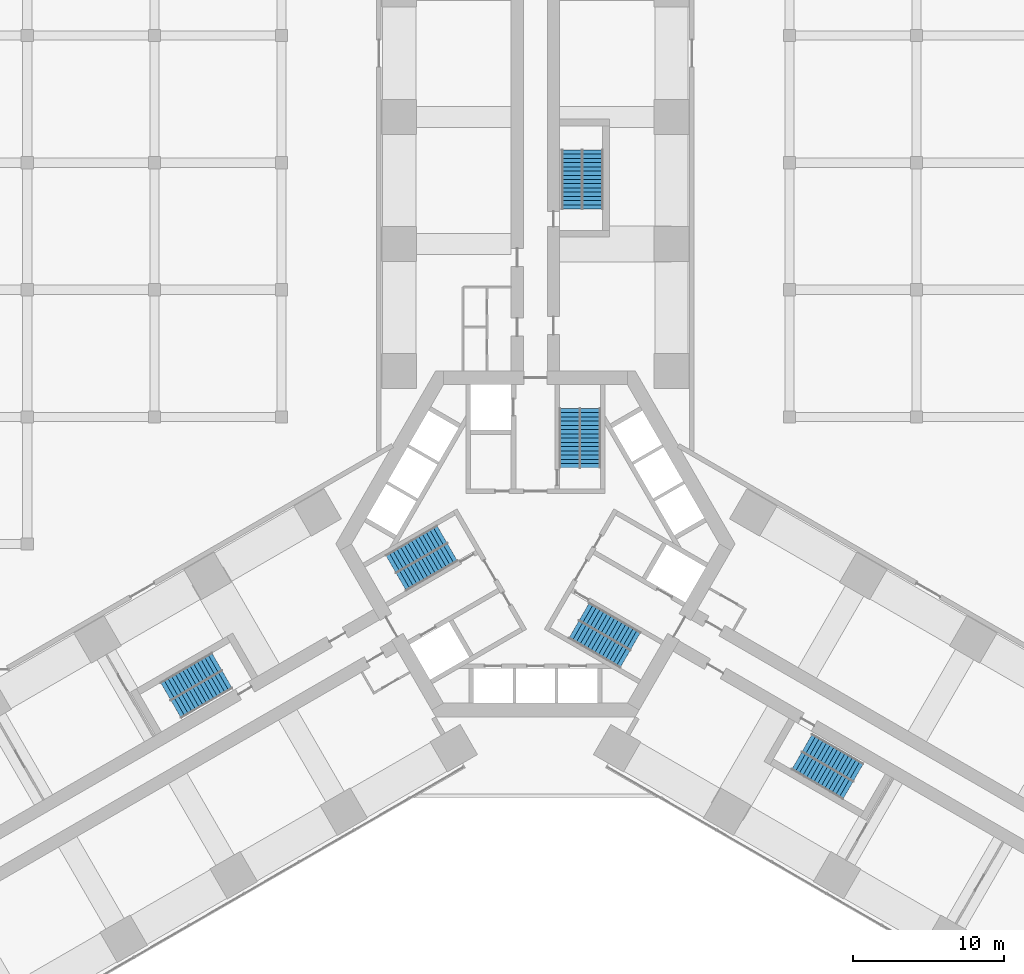
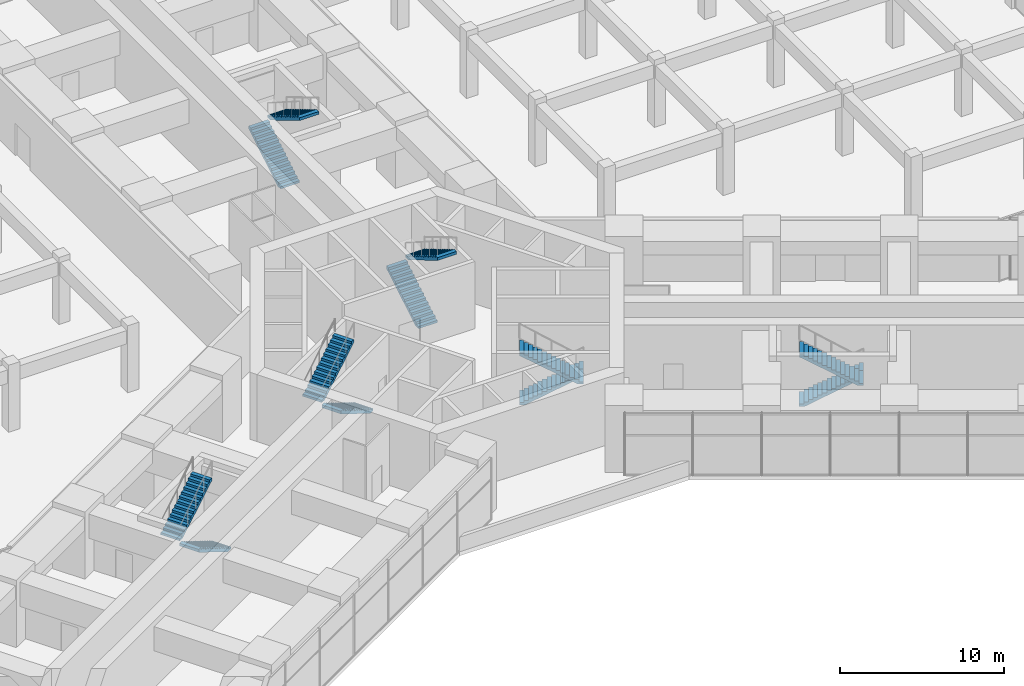
# One storey, part 32 of 33: 12 stair flights, 6 elements without a shape of their own.
"""IFC4 building model written with IfcOpenShell, lengths in metres."""

from ifc_helpers import new_model, si_unit, direction, frame, origin, place, context, subcontext, project, spatial, polyline, outline, extrude, material, type_object, element, aggregate, save


model = new_model("IFC4")

# Units and contexts
model_context = context("Model", 3, precision=1e-05, world=origin(), true_north=direction((0.0, 1.0)))
body_context = subcontext(model_context, "Body", "Model", "MODEL_VIEW")
ifc_project = project(units=[si_unit("LENGTHUNIT", "METRE"), si_unit("AREAUNIT", "SQUARE_METRE"), si_unit("VOLUMEUNIT", "CUBIC_METRE"), si_unit("PLANEANGLEUNIT", "RADIAN"), si_unit("MASSUNIT", "GRAM", prefix="KILO")], contexts=[model_context])

# Site, building, storey
site_placement = place(None, origin())
site = spatial("IfcSite", under=ifc_project, at=site_placement, CompositionType="ELEMENT")
building_placement = place(site_placement, origin())
building = spatial("IfcBuilding", under=site, at=building_placement, Name="Impinga Residences", CompositionType="ELEMENT")
storey_placement = place(building_placement, frame((0.0, 0.0, 21.0)))
storey = spatial("IfcBuildingStorey", under=building, at=storey_placement, Name="L04", CompositionType="ELEMENT", Elevation=21.0)

# Stair, stair flights
ifc_material = material(Name="Concrete C40/50", Category="concrete")
stair_type_1 = type_object("IfcStairType", Name="STR core stair 5000 storey, 30 risers", PredefinedType="HALF_TURN_STAIR", material=ifc_material)
stair_1_placement = place(storey_placement, origin())
stair_1 = element("IfcStair", 1, at=stair_1_placement, inside=storey, type_object=stair_type_1, Name="Stair ST1 L04", PredefinedType="HALF_TURN_STAIR")
stair_flight_type = type_object("IfcStairFlightType", Name="SF 15 risers of 167", PredefinedType="STRAIGHT", material=ifc_material)
stair_flight_1_placement = place(storey_placement, frame((2.27490234375, 5.030029296875, 0.0), z_axis=(0.0, 0.0, 1.0), x_axis=(0.0, 1.0, 0.0)))
stair_flight_1 = element("IfcStairFlight", 2, at=stair_flight_1_placement, type_object=stair_flight_type, Name="ST1 flight 1", NumberOfRisers=15, NumberOfTreads=14, PredefinedType="STRAIGHT", RiserHeight=0.166666667, TreadLength=0.28, context=body_context, shape_type="SweptSolid", body=[
    extrude(outline(polyline([(0.0, 0.0), (0.0, 0.166748046875), (0.280029296875, 0.166748046875), (0.280029296875, 0.333251953125), (0.56005859375, 0.333251953125), (0.56005859375, 0.5), (0.840087890625, 0.5), (0.840087890625, 0.666748046875), (1.1201171875, 0.666748046875), (1.1201171875, 0.833251953125), (1.39990234375, 0.833251953125), (1.39990234375, 1.0), (1.679931640625, 1.0), (1.679931640625, 1.166748046875), (1.9599609375, 1.166748046875), (1.9599609375, 1.333251953125), (2.239990234375, 1.333251953125), (2.239990234375, 1.5), (2.52001953125, 1.5), (2.52001953125, 1.666748046875), (2.800048828125, 1.666748046875), (2.800048828125, 1.833251953125), (3.080078125, 1.833251953125), (3.080078125, 2.0), (3.360107421875, 2.0), (3.360107421875, 2.166748046875), (3.639892578125, 2.166748046875), (3.639892578125, 2.333251953125), (3.919921875, 2.333251953125), (3.919921875, 2.5), (3.919921875, 2.1240234375), (0.351806640625, 0.0), (0.0, 0.0)])), frame((0.0, 0.675048828125, 0.0), z_axis=(0.0, -1.0, 0.0), x_axis=(1.0, 0.0, 0.0)), (0.0, 0.0, 1.0), 1.35009765625),
])
stair_flight_2_placement = place(storey_placement, frame((3.625, 8.949951171875, 2.5), z_axis=(0.0, 0.0, 1.0), x_axis=(0.0, -1.0, 0.0)))
stair_flight_2 = element("IfcStairFlight", 3, at=stair_flight_2_placement, type_object=stair_flight_type, Name="ST1 flight 2", NumberOfRisers=15, NumberOfTreads=14, PredefinedType="STRAIGHT", RiserHeight=0.166666667, TreadLength=0.28, context=body_context, shape_type="SweptSolid", body=[
    extrude(outline(polyline([(0.0, 0.0), (0.0, 0.166748046875), (0.280029296875, 0.166748046875), (0.280029296875, 0.333251953125), (0.56005859375, 0.333251953125), (0.56005859375, 0.5), (0.840087890625, 0.5), (0.840087890625, 0.666748046875), (1.1201171875, 0.666748046875), (1.1201171875, 0.833251953125), (1.39990234375, 0.833251953125), (1.39990234375, 1.0), (1.679931640625, 1.0), (1.679931640625, 1.166748046875), (1.9599609375, 1.166748046875), (1.9599609375, 1.333251953125), (2.239990234375, 1.333251953125), (2.239990234375, 1.5), (2.52001953125, 1.5), (2.52001953125, 1.666748046875), (2.800048828125, 1.666748046875), (2.800048828125, 1.833251953125), (3.080078125, 1.833251953125), (3.080078125, 2.0), (3.360107421875, 2.0), (3.360107421875, 2.166748046875), (3.639892578125, 2.166748046875), (3.639892578125, 2.333251953125), (3.919921875, 2.333251953125), (3.919921875, 2.5), (3.919921875, 2.1240234375), (0.351806640625, 0.0), (0.0, 0.0)])), frame((0.0, 0.675048828125, 0.0), z_axis=(0.0, -1.0, 0.0), x_axis=(1.0, 0.0, 0.0)), (0.0, 0.0, 1.0), 1.35009765625),
])
aggregate(stair_1, [stair_flight_1, stair_flight_2])

stair_2_placement = place(storey_placement, origin())
stair_2 = element("IfcStair", 4, at=stair_2_placement, inside=storey, type_object=stair_type_1, Name="Stair ST2 L04", PredefinedType="HALF_TURN_STAIR")
stair_flight_3_placement = place(storey_placement, frame((-5.49365234375, -0.544677734375, 0.0), z_axis=(0.0, 0.0, 1.0), x_axis=(-0.866025403784, -0.5, 0.0)))
stair_flight_3 = element("IfcStairFlight", 5, at=stair_flight_3_placement, type_object=stair_flight_type, Name="ST2 flight 1", NumberOfRisers=15, NumberOfTreads=14, PredefinedType="STRAIGHT", RiserHeight=0.166666667, TreadLength=0.28, context=body_context, shape_type="SweptSolid", body=[
    extrude(outline(polyline([(0.0, 0.0), (0.0, 0.166748046875), (0.280029296875, 0.166748046875), (0.280029296875, 0.333251953125), (0.56005859375, 0.333251953125), (0.56005859375, 0.5), (0.840087890625, 0.5), (0.840087890625, 0.666748046875), (1.1201171875, 0.666748046875), (1.1201171875, 0.833251953125), (1.39990234375, 0.833251953125), (1.39990234375, 1.0), (1.679931640625, 1.0), (1.679931640625, 1.166748046875), (1.9599609375, 1.166748046875), (1.9599609375, 1.333251953125), (2.239990234375, 1.333251953125), (2.239990234375, 1.5), (2.52001953125, 1.5), (2.52001953125, 1.666748046875), (2.800048828125, 1.666748046875), (2.800048828125, 1.833251953125), (3.080078125, 1.833251953125), (3.080078125, 2.0), (3.360107421875, 2.0), (3.360107421875, 2.166748046875), (3.639892578125, 2.166748046875), (3.639892578125, 2.333251953125), (3.919921875, 2.333251953125), (3.919921875, 2.5), (3.919921875, 2.1240234375), (0.351806640625, 0.0), (0.0, 0.0)])), frame((0.0, 0.675048828125, 0.0), z_axis=(0.0, -1.0, 0.0), x_axis=(1.0, 0.0, 0.0)), (0.0, 0.0, 1.0), 1.35009765625),
])
stair_flight_4_placement = place(storey_placement, frame((-9.5634765625, -1.335693359375, 2.5), z_axis=(0.0, 0.0, 1.0), x_axis=(0.866025403784, 0.5, 0.0)))
stair_flight_4 = element("IfcStairFlight", 6, at=stair_flight_4_placement, type_object=stair_flight_type, Name="ST2 flight 2", NumberOfRisers=15, NumberOfTreads=14, PredefinedType="STRAIGHT", RiserHeight=0.166666667, TreadLength=0.28, context=body_context, shape_type="SweptSolid", body=[
    extrude(outline(polyline([(0.0, 0.0), (0.0, 0.166748046875), (0.280029296875, 0.166748046875), (0.280029296875, 0.333251953125), (0.56005859375, 0.333251953125), (0.56005859375, 0.5), (0.840087890625, 0.5), (0.840087890625, 0.666748046875), (1.1201171875, 0.666748046875), (1.1201171875, 0.833251953125), (1.39990234375, 0.833251953125), (1.39990234375, 1.0), (1.679931640625, 1.0), (1.679931640625, 1.166748046875), (1.9599609375, 1.166748046875), (1.9599609375, 1.333251953125), (2.239990234375, 1.333251953125), (2.239990234375, 1.5), (2.52001953125, 1.5), (2.52001953125, 1.666748046875), (2.800048828125, 1.666748046875), (2.800048828125, 1.833251953125), (3.080078125, 1.833251953125), (3.080078125, 2.0), (3.360107421875, 2.0), (3.360107421875, 2.166748046875), (3.639892578125, 2.166748046875), (3.639892578125, 2.333251953125), (3.919921875, 2.333251953125), (3.919921875, 2.5), (3.919921875, 2.1240234375), (0.351806640625, 0.0), (0.0, 0.0)])), frame((0.0, 0.675048828125, 0.0), z_axis=(0.0, -1.0, 0.0), x_axis=(1.0, 0.0, 0.0)), (0.0, 0.0, 1.0), 1.35009765625),
])
aggregate(stair_2, [stair_flight_3, stair_flight_4])

stair_3_placement = place(storey_placement, origin())
stair_3 = element("IfcStair", 7, at=stair_3_placement, inside=storey, type_object=stair_type_1, Name="Stair ST3 L04", PredefinedType="HALF_TURN_STAIR")
stair_flight_5_placement = place(storey_placement, frame((3.218505859375, -4.485107421875, 0.0), z_axis=(0.0, 0.0, 1.0), x_axis=(0.866025403784, -0.5, 0.0)))
stair_flight_5 = element("IfcStairFlight", 8, at=stair_flight_5_placement, type_object=stair_flight_type, Name="ST3 flight 1", NumberOfRisers=15, NumberOfTreads=14, PredefinedType="STRAIGHT", RiserHeight=0.166666667, TreadLength=0.28, context=body_context, shape_type="SweptSolid", body=[
    extrude(outline(polyline([(0.0, 0.0), (0.0, 0.166748046875), (0.280029296875, 0.166748046875), (0.280029296875, 0.333251953125), (0.56005859375, 0.333251953125), (0.56005859375, 0.5), (0.840087890625, 0.5), (0.840087890625, 0.666748046875), (1.1201171875, 0.666748046875), (1.1201171875, 0.833251953125), (1.39990234375, 0.833251953125), (1.39990234375, 1.0), (1.679931640625, 1.0), (1.679931640625, 1.166748046875), (1.9599609375, 1.166748046875), (1.9599609375, 1.333251953125), (2.239990234375, 1.333251953125), (2.239990234375, 1.5), (2.52001953125, 1.5), (2.52001953125, 1.666748046875), (2.800048828125, 1.666748046875), (2.800048828125, 1.833251953125), (3.080078125, 1.833251953125), (3.080078125, 2.0), (3.360107421875, 2.0), (3.360107421875, 2.166748046875), (3.639892578125, 2.166748046875), (3.639892578125, 2.333251953125), (3.919921875, 2.333251953125), (3.919921875, 2.5), (3.919921875, 2.1240234375), (0.351806640625, 0.0), (0.0, 0.0)])), frame((0.0, 0.675048828125, 0.0), z_axis=(0.0, -1.0, 0.0), x_axis=(1.0, 0.0, 0.0)), (0.0, 0.0, 1.0), 1.35009765625),
])
stair_flight_6_placement = place(storey_placement, frame((5.9384765625, -7.6142578125, 2.5), z_axis=(0.0, 0.0, 1.0), x_axis=(-0.866025403784, 0.5, 0.0)))
stair_flight_6 = element("IfcStairFlight", 9, at=stair_flight_6_placement, type_object=stair_flight_type, Name="ST3 flight 2", NumberOfRisers=15, NumberOfTreads=14, PredefinedType="STRAIGHT", RiserHeight=0.166666667, TreadLength=0.28, context=body_context, shape_type="SweptSolid", body=[
    extrude(outline(polyline([(0.0, 0.0), (0.0, 0.166748046875), (0.280029296875, 0.166748046875), (0.280029296875, 0.333251953125), (0.56005859375, 0.333251953125), (0.56005859375, 0.5), (0.840087890625, 0.5), (0.840087890625, 0.666748046875), (1.1201171875, 0.666748046875), (1.1201171875, 0.833251953125), (1.39990234375, 0.833251953125), (1.39990234375, 1.0), (1.679931640625, 1.0), (1.679931640625, 1.166748046875), (1.9599609375, 1.166748046875), (1.9599609375, 1.333251953125), (2.239990234375, 1.333251953125), (2.239990234375, 1.5), (2.52001953125, 1.5), (2.52001953125, 1.666748046875), (2.800048828125, 1.666748046875), (2.800048828125, 1.833251953125), (3.080078125, 1.833251953125), (3.080078125, 2.0), (3.360107421875, 2.0), (3.360107421875, 2.166748046875), (3.639892578125, 2.166748046875), (3.639892578125, 2.333251953125), (3.919921875, 2.333251953125), (3.919921875, 2.5), (3.919921875, 2.1240234375), (0.351806640625, 0.0), (0.0, 0.0)])), frame((0.0, 0.675048828125, 0.0), z_axis=(0.0, -1.0, 0.0), x_axis=(1.0, 0.0, 0.0)), (0.0, 0.0, 1.0), 1.35009765625),
])
aggregate(stair_3, [stair_flight_5, stair_flight_6])

stair_type_2 = type_object("IfcStairType", Name="STR wing stair 5000 storey, 30 risers", PredefinedType="HALF_TURN_STAIR", material=ifc_material)
stair_4_placement = place(storey_placement, origin())
stair_4 = element("IfcStair", 10, at=stair_4_placement, inside=storey, type_object=stair_type_2, Name="Stair WS1 L04", PredefinedType="HALF_TURN_STAIR")
stair_flight_7_placement = place(storey_placement, frame((2.425048828125, 22.131591796875, 0.0), z_axis=(0.0, 0.0, 1.0), x_axis=(0.0, 1.0, 0.0)))
stair_flight_7 = element("IfcStairFlight", 11, at=stair_flight_7_placement, type_object=stair_flight_type, Name="WS1 flight 1", NumberOfRisers=15, NumberOfTreads=14, PredefinedType="STRAIGHT", RiserHeight=0.166666667, TreadLength=0.28, context=body_context, shape_type="SweptSolid", body=[
    extrude(outline(polyline([(0.0, 0.0), (0.0, 0.166748046875), (0.280029296875, 0.166748046875), (0.280029296875, 0.333251953125), (0.56005859375, 0.333251953125), (0.56005859375, 0.5), (0.840087890625, 0.5), (0.840087890625, 0.666748046875), (1.1201171875, 0.666748046875), (1.1201171875, 0.833251953125), (1.39990234375, 0.833251953125), (1.39990234375, 1.0), (1.679931640625, 1.0), (1.679931640625, 1.166748046875), (1.9599609375, 1.166748046875), (1.9599609375, 1.333251953125), (2.239990234375, 1.333251953125), (2.239990234375, 1.5), (2.52001953125, 1.5), (2.52001953125, 1.666748046875), (2.800048828125, 1.666748046875), (2.800048828125, 1.833251953125), (3.080078125, 1.833251953125), (3.080078125, 2.0), (3.360107421875, 2.0), (3.360107421875, 2.166748046875), (3.639892578125, 2.166748046875), (3.639892578125, 2.333251953125), (3.919921875, 2.333251953125), (3.919921875, 2.5), (3.919921875, 2.1240234375), (0.351806640625, 0.0), (0.0, 0.0)])), frame((0.0, 0.675048828125, 0.0), z_axis=(0.0, -1.0, 0.0), x_axis=(1.0, 0.0, 0.0)), (0.0, 0.0, 1.0), 1.35009765625),
])
stair_flight_8_placement = place(storey_placement, frame((3.77490234375, 26.051513671875, 2.5), z_axis=(0.0, 0.0, 1.0), x_axis=(0.0, -1.0, 0.0)))
stair_flight_8 = element("IfcStairFlight", 12, at=stair_flight_8_placement, type_object=stair_flight_type, Name="WS1 flight 2", NumberOfRisers=15, NumberOfTreads=14, PredefinedType="STRAIGHT", RiserHeight=0.166666667, TreadLength=0.28, context=body_context, shape_type="SweptSolid", body=[
    extrude(outline(polyline([(0.0, 0.0), (0.0, 0.166748046875), (0.280029296875, 0.166748046875), (0.280029296875, 0.333251953125), (0.56005859375, 0.333251953125), (0.56005859375, 0.5), (0.840087890625, 0.5), (0.840087890625, 0.666748046875), (1.1201171875, 0.666748046875), (1.1201171875, 0.833251953125), (1.39990234375, 0.833251953125), (1.39990234375, 1.0), (1.679931640625, 1.0), (1.679931640625, 1.166748046875), (1.9599609375, 1.166748046875), (1.9599609375, 1.333251953125), (2.239990234375, 1.333251953125), (2.239990234375, 1.5), (2.52001953125, 1.5), (2.52001953125, 1.666748046875), (2.800048828125, 1.666748046875), (2.800048828125, 1.833251953125), (3.080078125, 1.833251953125), (3.080078125, 2.0), (3.360107421875, 2.0), (3.360107421875, 2.166748046875), (3.639892578125, 2.166748046875), (3.639892578125, 2.333251953125), (3.919921875, 2.333251953125), (3.919921875, 2.5), (3.919921875, 2.1240234375), (0.351806640625, 0.0), (0.0, 0.0)])), frame((0.0, 0.675048828125, 0.0), z_axis=(0.0, -1.0, 0.0), x_axis=(1.0, 0.0, 0.0)), (0.0, 0.0, 1.0), 1.35009765625),
])
aggregate(stair_4, [stair_flight_7, stair_flight_8])

stair_5_placement = place(storey_placement, origin())
stair_5 = element("IfcStair", 13, at=stair_5_placement, inside=storey, type_object=stair_type_2, Name="Stair WS2 L04", PredefinedType="HALF_TURN_STAIR")
stair_flight_9_placement = place(storey_placement, frame((-20.37890625, -8.965576171875, 0.0), z_axis=(0.0, 0.0, 1.0), x_axis=(-0.866025403784, -0.5, 0.0)))
stair_flight_9 = element("IfcStairFlight", 14, at=stair_flight_9_placement, type_object=stair_flight_type, Name="WS2 flight 1", NumberOfRisers=15, NumberOfTreads=14, PredefinedType="STRAIGHT", RiserHeight=0.166666667, TreadLength=0.28, context=body_context, shape_type="SweptSolid", body=[
    extrude(outline(polyline([(0.0, 0.0), (0.0, 0.166748046875), (0.280029296875, 0.166748046875), (0.280029296875, 0.333251953125), (0.56005859375, 0.333251953125), (0.56005859375, 0.5), (0.840087890625, 0.5), (0.840087890625, 0.666748046875), (1.1201171875, 0.666748046875), (1.1201171875, 0.833251953125), (1.39990234375, 0.833251953125), (1.39990234375, 1.0), (1.679931640625, 1.0), (1.679931640625, 1.166748046875), (1.9599609375, 1.166748046875), (1.9599609375, 1.333251953125), (2.239990234375, 1.333251953125), (2.239990234375, 1.5), (2.52001953125, 1.5), (2.52001953125, 1.666748046875), (2.800048828125, 1.666748046875), (2.800048828125, 1.833251953125), (3.080078125, 1.833251953125), (3.080078125, 2.0), (3.360107421875, 2.0), (3.360107421875, 2.166748046875), (3.639892578125, 2.166748046875), (3.639892578125, 2.333251953125), (3.919921875, 2.333251953125), (3.919921875, 2.5), (3.919921875, 2.1240234375), (0.351806640625, 0.0), (0.0, 0.0)])), frame((0.0, 0.675048828125, 0.0), z_axis=(0.0, -1.0, 0.0), x_axis=(1.0, 0.0, 0.0)), (0.0, 0.0, 1.0), 1.35009765625),
])
stair_flight_10_placement = place(storey_placement, frame((-24.44873046875, -9.756591796875, 2.5), z_axis=(0.0, 0.0, 1.0), x_axis=(0.866025403784, 0.5, 0.0)))
stair_flight_10 = element("IfcStairFlight", 15, at=stair_flight_10_placement, type_object=stair_flight_type, Name="WS2 flight 2", NumberOfRisers=15, NumberOfTreads=14, PredefinedType="STRAIGHT", RiserHeight=0.166666667, TreadLength=0.28, context=body_context, shape_type="SweptSolid", body=[
    extrude(outline(polyline([(0.0, 0.0), (0.0, 0.166748046875), (0.280029296875, 0.166748046875), (0.280029296875, 0.333251953125), (0.56005859375, 0.333251953125), (0.56005859375, 0.5), (0.840087890625, 0.5), (0.840087890625, 0.666748046875), (1.1201171875, 0.666748046875), (1.1201171875, 0.833251953125), (1.39990234375, 0.833251953125), (1.39990234375, 1.0), (1.679931640625, 1.0), (1.679931640625, 1.166748046875), (1.9599609375, 1.166748046875), (1.9599609375, 1.333251953125), (2.239990234375, 1.333251953125), (2.239990234375, 1.5), (2.52001953125, 1.5), (2.52001953125, 1.666748046875), (2.800048828125, 1.666748046875), (2.800048828125, 1.833251953125), (3.080078125, 1.833251953125), (3.080078125, 2.0), (3.360107421875, 2.0), (3.360107421875, 2.166748046875), (3.639892578125, 2.166748046875), (3.639892578125, 2.333251953125), (3.919921875, 2.333251953125), (3.919921875, 2.5), (3.919921875, 2.1240234375), (0.351806640625, 0.0), (0.0, 0.0)])), frame((0.0, 0.675048828125, 0.0), z_axis=(0.0, -1.0, 0.0), x_axis=(1.0, 0.0, 0.0)), (0.0, 0.0, 1.0), 1.35009765625),
])
aggregate(stair_5, [stair_flight_9, stair_flight_10])

stair_6_placement = place(storey_placement, origin())
stair_6 = element("IfcStair", 16, at=stair_6_placement, inside=storey, type_object=stair_type_2, Name="Stair WS3 L04", PredefinedType="HALF_TURN_STAIR")
stair_flight_11_placement = place(storey_placement, frame((17.953857421875, -13.165771484375, 0.0), z_axis=(0.0, 0.0, 1.0), x_axis=(0.866025403784, -0.5, 0.0)))
stair_flight_11 = element("IfcStairFlight", 17, at=stair_flight_11_placement, type_object=stair_flight_type, Name="WS3 flight 1", NumberOfRisers=15, NumberOfTreads=14, PredefinedType="STRAIGHT", RiserHeight=0.166666667, TreadLength=0.28, context=body_context, shape_type="SweptSolid", body=[
    extrude(outline(polyline([(0.0, 0.0), (0.0, 0.166748046875), (0.280029296875, 0.166748046875), (0.280029296875, 0.333251953125), (0.56005859375, 0.333251953125), (0.56005859375, 0.5), (0.840087890625, 0.5), (0.840087890625, 0.666748046875), (1.1201171875, 0.666748046875), (1.1201171875, 0.833251953125), (1.39990234375, 0.833251953125), (1.39990234375, 1.0), (1.679931640625, 1.0), (1.679931640625, 1.166748046875), (1.9599609375, 1.166748046875), (1.9599609375, 1.333251953125), (2.239990234375, 1.333251953125), (2.239990234375, 1.5), (2.52001953125, 1.5), (2.52001953125, 1.666748046875), (2.800048828125, 1.666748046875), (2.800048828125, 1.833251953125), (3.080078125, 1.833251953125), (3.080078125, 2.0), (3.360107421875, 2.0), (3.360107421875, 2.166748046875), (3.639892578125, 2.166748046875), (3.639892578125, 2.333251953125), (3.919921875, 2.333251953125), (3.919921875, 2.5), (3.919921875, 2.1240234375), (0.351806640625, 0.0), (0.0, 0.0)])), frame((0.0, 0.675048828125, 0.0), z_axis=(0.0, -1.0, 0.0), x_axis=(1.0, 0.0, 0.0)), (0.0, 0.0, 1.0), 1.35009765625),
])
stair_flight_12_placement = place(storey_placement, frame((20.673828125, -16.294921875, 2.5), z_axis=(0.0, 0.0, 1.0), x_axis=(-0.866025403784, 0.5, 0.0)))
stair_flight_12 = element("IfcStairFlight", 18, at=stair_flight_12_placement, type_object=stair_flight_type, Name="WS3 flight 2", NumberOfRisers=15, NumberOfTreads=14, PredefinedType="STRAIGHT", RiserHeight=0.166666667, TreadLength=0.28, context=body_context, shape_type="SweptSolid", body=[
    extrude(outline(polyline([(0.0, 0.0), (0.0, 0.166748046875), (0.280029296875, 0.166748046875), (0.280029296875, 0.333251953125), (0.56005859375, 0.333251953125), (0.56005859375, 0.5), (0.840087890625, 0.5), (0.840087890625, 0.666748046875), (1.1201171875, 0.666748046875), (1.1201171875, 0.833251953125), (1.39990234375, 0.833251953125), (1.39990234375, 1.0), (1.679931640625, 1.0), (1.679931640625, 1.166748046875), (1.9599609375, 1.166748046875), (1.9599609375, 1.333251953125), (2.239990234375, 1.333251953125), (2.239990234375, 1.5), (2.52001953125, 1.5), (2.52001953125, 1.666748046875), (2.800048828125, 1.666748046875), (2.800048828125, 1.833251953125), (3.080078125, 1.833251953125), (3.080078125, 2.0), (3.360107421875, 2.0), (3.360107421875, 2.166748046875), (3.639892578125, 2.166748046875), (3.639892578125, 2.333251953125), (3.919921875, 2.333251953125), (3.919921875, 2.5), (3.919921875, 2.1240234375), (0.351806640625, 0.0), (0.0, 0.0)])), frame((0.0, 0.675048828125, 0.0), z_axis=(0.0, -1.0, 0.0), x_axis=(1.0, 0.0, 0.0)), (0.0, 0.0, 1.0), 1.35009765625),
])
aggregate(stair_6, [stair_flight_11, stair_flight_12])

save(model, "model.ifc")
